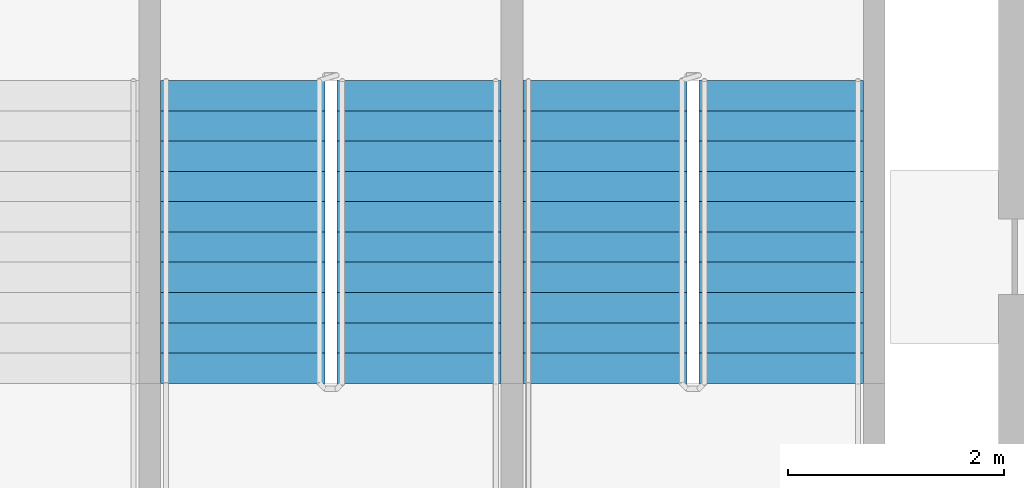
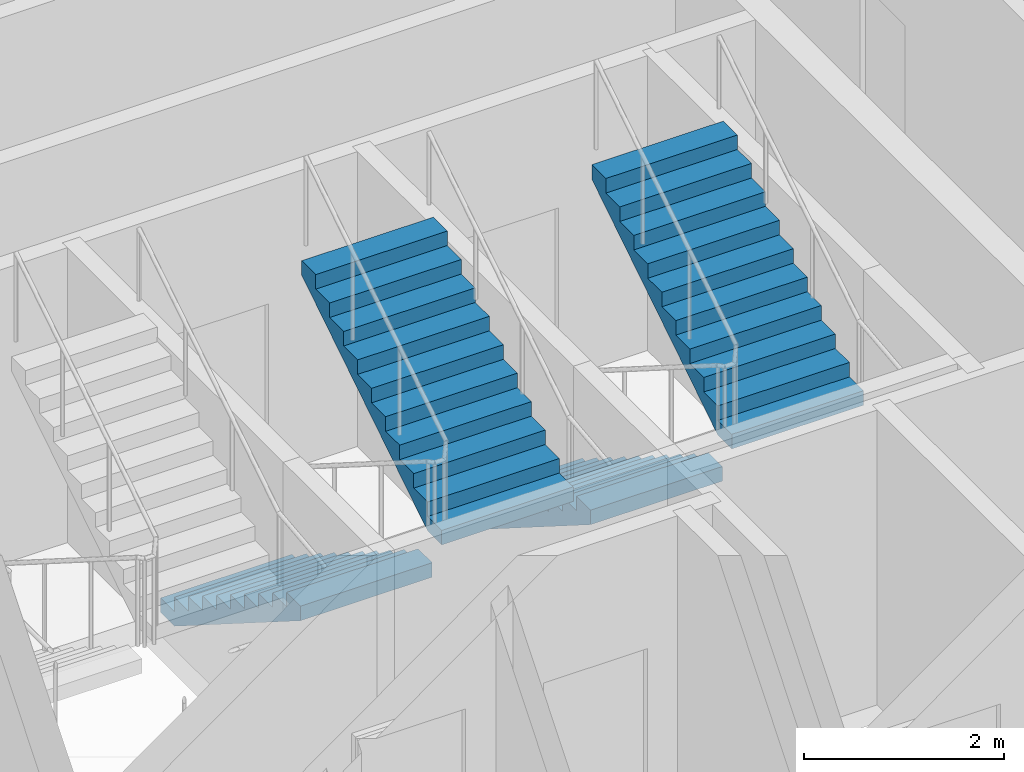
# One storey, part 9 of 10: 4 stair flights, 2 elements without a shape of their own.
"""IFC4 building model written with IfcOpenShell, lengths in metres."""

from ifc_helpers import new_model, si_unit, direction, frame, origin, place, context, subcontext, project, spatial, polyline, outline, extrude, material, type_object, element, aggregate, save


model = new_model("IFC4")

# Units and contexts
model_context = context("Model", 3, precision=1e-05, world=origin(), true_north=direction((0.0, 1.0)))
body_context = subcontext(model_context, "Body", "Model", "MODEL_VIEW")
ifc_project = project(units=[si_unit("LENGTHUNIT", "METRE"), si_unit("AREAUNIT", "SQUARE_METRE"), si_unit("VOLUMEUNIT", "CUBIC_METRE"), si_unit("PLANEANGLEUNIT", "RADIAN"), si_unit("MASSUNIT", "GRAM", prefix="KILO")], contexts=[model_context])

# Site, building, storey
site_placement = place(None, origin())
site = spatial("IfcSite", under=ifc_project, at=site_placement, CompositionType="ELEMENT")
building_placement = place(site_placement, origin())
building = spatial("IfcBuilding", under=site, at=building_placement, Name="Tessera Arch", CompositionType="ELEMENT")
storey_placement = place(building_placement, frame((0.0, 0.0, 301.199951171875)))
storey = spatial("IfcBuildingStorey", under=building, at=storey_placement, Name="L72", CompositionType="ELEMENT", Elevation=301.199951171875)

# Stair, stair flights
ifc_material_1 = material(Name="Concrete C40/50", Category="concrete")
stair_type = type_object("IfcStairType", Name="Dogleg stair 1520", PredefinedType="HALF_TURN_STAIR", material=ifc_material_1)
stair_1_placement = place(storey_placement, origin())
stair_1 = element("IfcStair", 1, at=stair_1_placement, inside=storey, type_object=stair_type, Name="L72 S1b", PredefinedType="HALF_TURN_STAIR")
ifc_material_2 = material(Name="Concrete C40/50", Category="concrete")
stair_flight_type = type_object("IfcStairFlightType", Name="Stair flight 1520", PredefinedType="STRAIGHT", material=ifc_material_2)
stair_flight_1_placement = place(storey_placement, frame((40.81005859375, 43.580078125, 0.0), z_axis=(0.0, 0.0, 1.0), x_axis=(0.0, -1.0, 0.0)))
stair_flight_1 = element("IfcStairFlight", 2, at=stair_flight_1_placement, type_object=stair_flight_type, Name="S1b flight 1", NumberOfRisers=11, NumberOfTreads=10, PredefinedType="STRAIGHT", RiserHeight=0.177272727, TreadLength=0.28, context=body_context, shape_type="SweptSolid", body=[
    extrude(outline(polyline([(0.0, 0.0), (0.0, 0.17724609375), (0.280029296875, 0.17724609375), (0.280029296875, 0.3544921875), (0.56005859375, 0.3544921875), (0.56005859375, 0.53173828125), (0.840087890625, 0.53173828125), (0.840087890625, 0.708984375), (1.1201171875, 0.708984375), (1.1201171875, 0.886474609375), (1.39990234375, 0.886474609375), (1.39990234375, 1.063720703125), (1.679931640625, 1.063720703125), (1.679931640625, 1.240966796875), (1.9599609375, 1.240966796875), (1.9599609375, 1.418212890625), (2.239990234375, 1.418212890625), (2.239990234375, 1.595458984375), (2.52001953125, 1.595458984375), (2.52001953125, 1.772705078125), (2.800048828125, 1.772705078125), (2.800048828125, 1.949951171875), (2.800048828125, 1.59521484375), (0.2802734375, 0.0), (0.0, 0.0)])), frame((0.0, 0.760009765625, 0.0), z_axis=(0.0, -1.0, 0.0), x_axis=(1.0, 0.0, 0.0)), (0.0, 0.0, 1.0), 1.52001953125),
])
stair_flight_2_placement = place(storey_placement, frame((42.43994140625, 40.780029296875, 1.949951171875), z_axis=(0.0, 0.0, 1.0), x_axis=(0.0, 1.0, 0.0)))
stair_flight_2 = element("IfcStairFlight", 3, at=stair_flight_2_placement, type_object=stair_flight_type, Name="S1b flight 2", NumberOfRisers=11, NumberOfTreads=10, PredefinedType="STRAIGHT", RiserHeight=0.177272727, TreadLength=0.28, context=body_context, shape_type="SweptSolid", body=[
    extrude(outline(polyline([(0.0, 0.0), (0.0, 0.17724609375), (0.280029296875, 0.17724609375), (0.280029296875, 0.3544921875), (0.56005859375, 0.3544921875), (0.56005859375, 0.53173828125), (0.840087890625, 0.53173828125), (0.840087890625, 0.708984375), (1.1201171875, 0.708984375), (1.1201171875, 0.886474609375), (1.39990234375, 0.886474609375), (1.39990234375, 1.063720703125), (1.679931640625, 1.063720703125), (1.679931640625, 1.240966796875), (1.9599609375, 1.240966796875), (1.9599609375, 1.418212890625), (2.239990234375, 1.418212890625), (2.239990234375, 1.595458984375), (2.52001953125, 1.595458984375), (2.52001953125, 1.772705078125), (2.800048828125, 1.772705078125), (2.800048828125, 1.949951171875), (2.800048828125, 1.59521484375), (0.2802734375, 0.0), (0.0, 0.0)])), frame((0.0, 0.760009765625, 0.0), z_axis=(0.0, -1.0, 0.0), x_axis=(1.0, 0.0, 0.0)), (0.0, 0.0, 1.0), 1.52001953125),
])
aggregate(stair_1, [stair_flight_1, stair_flight_2])

stair_2_placement = place(storey_placement, origin())
stair_2 = element("IfcStair", 4, at=stair_2_placement, inside=storey, type_object=stair_type, Name="L72 S1c", PredefinedType="HALF_TURN_STAIR")
stair_flight_3_placement = place(storey_placement, frame((44.159912109375, 43.580078125, 0.0), z_axis=(0.0, 0.0, 1.0), x_axis=(0.0, -1.0, 0.0)))
stair_flight_3 = element("IfcStairFlight", 5, at=stair_flight_3_placement, type_object=stair_flight_type, Name="S1c flight 1", NumberOfRisers=11, NumberOfTreads=10, PredefinedType="STRAIGHT", RiserHeight=0.177272727, TreadLength=0.28, context=body_context, shape_type="SweptSolid", body=[
    extrude(outline(polyline([(0.0, 0.0), (0.0, 0.17724609375), (0.280029296875, 0.17724609375), (0.280029296875, 0.3544921875), (0.56005859375, 0.3544921875), (0.56005859375, 0.53173828125), (0.840087890625, 0.53173828125), (0.840087890625, 0.708984375), (1.1201171875, 0.708984375), (1.1201171875, 0.886474609375), (1.39990234375, 0.886474609375), (1.39990234375, 1.063720703125), (1.679931640625, 1.063720703125), (1.679931640625, 1.240966796875), (1.9599609375, 1.240966796875), (1.9599609375, 1.418212890625), (2.239990234375, 1.418212890625), (2.239990234375, 1.595458984375), (2.52001953125, 1.595458984375), (2.52001953125, 1.772705078125), (2.800048828125, 1.772705078125), (2.800048828125, 1.949951171875), (2.800048828125, 1.59521484375), (0.2802734375, 0.0), (0.0, 0.0)])), frame((0.0, 0.760009765625, 0.0), z_axis=(0.0, -1.0, 0.0), x_axis=(1.0, 0.0, 0.0)), (0.0, 0.0, 1.0), 1.52001953125),
])
stair_flight_4_placement = place(storey_placement, frame((45.7900390625, 40.780029296875, 1.949951171875), z_axis=(0.0, 0.0, 1.0), x_axis=(0.0, 1.0, 0.0)))
stair_flight_4 = element("IfcStairFlight", 6, at=stair_flight_4_placement, type_object=stair_flight_type, Name="S1c flight 2", NumberOfRisers=11, NumberOfTreads=10, PredefinedType="STRAIGHT", RiserHeight=0.177272727, TreadLength=0.28, context=body_context, shape_type="SweptSolid", body=[
    extrude(outline(polyline([(0.0, 0.0), (0.0, 0.17724609375), (0.280029296875, 0.17724609375), (0.280029296875, 0.3544921875), (0.56005859375, 0.3544921875), (0.56005859375, 0.53173828125), (0.840087890625, 0.53173828125), (0.840087890625, 0.708984375), (1.1201171875, 0.708984375), (1.1201171875, 0.886474609375), (1.39990234375, 0.886474609375), (1.39990234375, 1.063720703125), (1.679931640625, 1.063720703125), (1.679931640625, 1.240966796875), (1.9599609375, 1.240966796875), (1.9599609375, 1.418212890625), (2.239990234375, 1.418212890625), (2.239990234375, 1.595458984375), (2.52001953125, 1.595458984375), (2.52001953125, 1.772705078125), (2.800048828125, 1.772705078125), (2.800048828125, 1.949951171875), (2.800048828125, 1.59521484375), (0.2802734375, 0.0), (0.0, 0.0)])), frame((0.0, 0.760009765625, 0.0), z_axis=(0.0, -1.0, 0.0), x_axis=(1.0, 0.0, 0.0)), (0.0, 0.0, 1.0), 1.52001953125),
])
aggregate(stair_2, [stair_flight_3, stair_flight_4])

save(model, "model.ifc")
